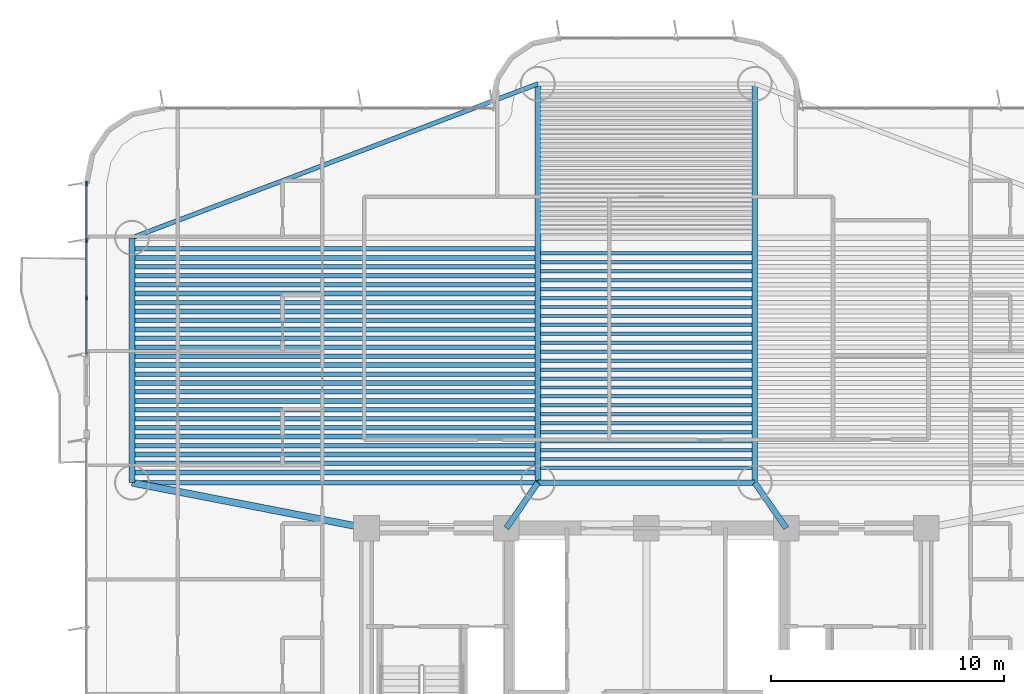
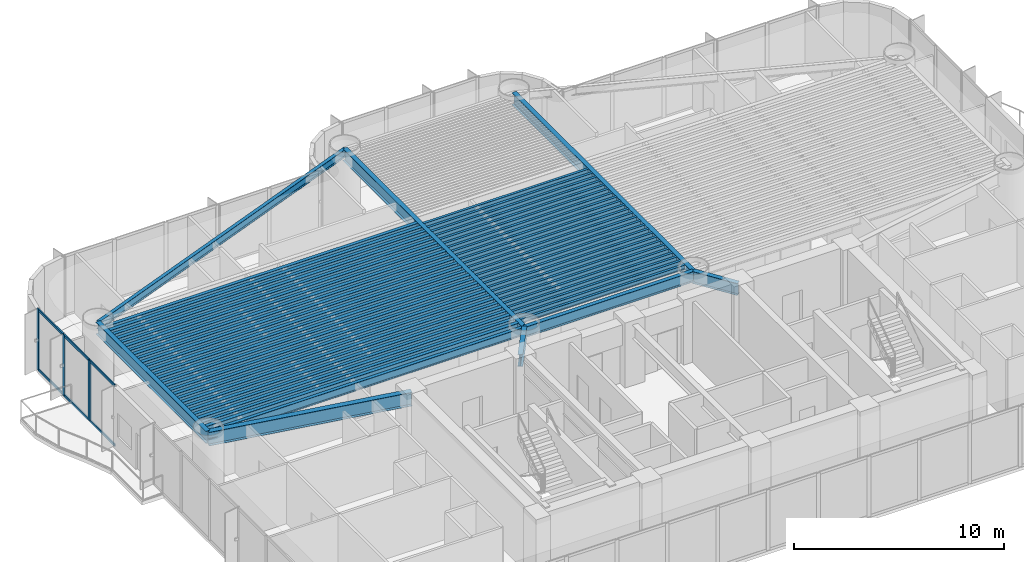
# One storey, part 3 of 19: 60 beams, 9 members, 1 element without a shape of its own.
"""IFC4 building model written with IfcOpenShell, lengths in metres."""

from ifc_helpers import new_model, si_unit, direction, frame, origin, origin_2d, place, context, subcontext, project, spatial, rectangle, i_section, extrude, source, transform, mapped, material, layer, layer_set, material_profile, profile_set, type_object, element, aggregate, save


model = new_model("IFC4")

# Units and contexts
model_context = context("Model", 3, precision=1e-05, world=origin(), true_north=direction((0.0, 1.0)))
body_context = subcontext(model_context, "Body", "Model", "MODEL_VIEW")
ifc_project = project(units=[si_unit("LENGTHUNIT", "METRE"), si_unit("AREAUNIT", "SQUARE_METRE"), si_unit("VOLUMEUNIT", "CUBIC_METRE"), si_unit("PLANEANGLEUNIT", "RADIAN"), si_unit("MASSUNIT", "GRAM", prefix="KILO")], contexts=[model_context])

# Site, building, storey
site_placement = place(None, origin())
site = spatial("IfcSite", under=ifc_project, at=site_placement, CompositionType="ELEMENT")
building_placement = place(site_placement, origin())
building = spatial("IfcBuilding", under=site, at=building_placement, Name="Brelvock Crest Care Tower", CompositionType="ELEMENT")
storey_placement = place(building_placement, frame((0.0, 0.0, 68.580078125)))
storey = spatial("IfcBuildingStorey", under=building, at=storey_placement, Name="L17", CompositionType="ELEMENT", Elevation=68.580078125)

# Beams
ifc_material_1 = material(Name="Steel Grade 350", Category="steel")
ifc_material_profile_1 = material_profile(ifc_material_1, i_section(OverallWidth=0.25, OverallDepth=0.699951171875, WebThickness=0.011962890625, FlangeThickness=0.02001953125, at=origin_2d()), Name="700WB150")
ifc_profile_set_1 = profile_set([ifc_material_profile_1], Name="Steel Grade 350")
beam_type_1 = type_object("IfcBeamType", Name="BM-G4", PredefinedType="BEAM", material=ifc_profile_set_1)
shared_shape_1 = source(origin(), body_context, "Body", "SweptSolid", [
    extrude(i_section(OverallWidth=0.25, OverallDepth=0.699951171875, WebThickness=0.011962890625, FlangeThickness=0.02001953125, at=origin_2d()), origin(), (0.0, 0.0, 1.0), 10.5),
])
beam_1_placement = place(storey_placement, frame((13.949951171875, 19.949951171875, 3.179931640625), z_axis=(0.0, 1.0, 0.0), x_axis=(-1.0, 0.0, 0.0)))
element("IfcBeam", 1, at=beam_1_placement, inside=storey, type_object=beam_type_1, Name="BM-TWR-L17-01", PredefinedType="BEAM", context=body_context, shape_type="MappedRepresentation", body=[
    mapped(shared_shape_1, transform((0.0, 0.0, 0.0), x_axis=(1.0, 0.0, 0.0), y_axis=(0.0, 1.0, 0.0), z_axis=(0.0, 0.0, 1.0), scale=1.0)),
])
ifc_material_profile_2 = material_profile(ifc_material_1, i_section(OverallWidth=0.19091796875, OverallDepth=0.4599609375, WebThickness=0.010009765625, FlangeThickness=0.01611328125, FilletRadius=0.011474609375, at=origin_2d()), Name="460UB82.1")
ifc_profile_set_2 = profile_set([ifc_material_profile_2], Name="Steel Grade 350")
beam_type_2 = type_object("IfcBeamType", Name="BM-SP2", PredefinedType="SPANDREL", material=ifc_profile_set_2)
shared_shape_2 = source(origin(), body_context, "Body", "SweptSolid", [
    extrude(i_section(OverallWidth=0.19091796875, OverallDepth=0.4599609375, WebThickness=0.010009765625, FlangeThickness=0.01611328125, FilletRadius=0.011474609375, at=origin_2d()), origin(), (0.0, 0.0, 1.0), 17.400146484375),
])
beam_2_placement = place(storey_placement, frame((13.949951171875, 19.949951171875, 3.2998046875), z_axis=(1.0, 0.0, 0.0), x_axis=(0.0, 1.0, 0.0)))
element("IfcBeam", 2, at=beam_2_placement, inside=storey, type_object=beam_type_2, Name="BM-TWR-L17-03", PredefinedType="SPANDREL", context=body_context, shape_type="MappedRepresentation", body=[
    mapped(shared_shape_2, transform((0.0, 0.0, 0.0), x_axis=(1.0, 0.0, 0.0), y_axis=(0.0, 1.0, 0.0), z_axis=(0.0, 0.0, 1.0), scale=1.0)),
])
ifc_material_profile_3 = material_profile(ifc_material_1, i_section(OverallWidth=0.22900390625, OverallDepth=0.612060546875, WebThickness=0.011962890625, FlangeThickness=0.01953125, FilletRadius=0.013916015625, at=origin_2d()), Name="610UB125")
ifc_profile_set_3 = profile_set([ifc_material_profile_3], Name="Steel Grade 350")
beam_type_3 = type_object("IfcBeamType", Name="BM-G1", PredefinedType="BEAM", material=ifc_profile_set_3)
shared_shape_3 = source(origin(), body_context, "Body", "SweptSolid", [
    extrude(i_section(OverallWidth=0.22900390625, OverallDepth=0.612060546875, WebThickness=0.011962890625, FlangeThickness=0.01953125, FilletRadius=0.013916015625, at=origin_2d()), origin(), (0.0, 0.0, 1.0), 9.2998046875),
])
beam_3_placement = place(storey_placement, frame((31.35009765625, 19.949951171875, 3.223876953125), z_axis=(1.0, 0.0, 0.0), x_axis=(0.0, 1.0, 0.0)))
element("IfcBeam", 3, at=beam_3_placement, inside=storey, type_object=beam_type_3, Name="BM-TWR-L17-05", PredefinedType="BEAM", context=body_context, shape_type="MappedRepresentation", body=[
    mapped(shared_shape_3, transform((0.0, 0.0, 0.0), x_axis=(1.0, 0.0, 0.0), y_axis=(0.0, 1.0, 0.0), z_axis=(0.0, 0.0, 1.0), scale=1.0)),
])
shared_shape_4 = source(origin(), body_context, "Body", "SweptSolid", [
    extrude(i_section(OverallWidth=0.19091796875, OverallDepth=0.4599609375, WebThickness=0.010009765625, FlangeThickness=0.01611328125, FilletRadius=0.011474609375, at=origin_2d()), origin(), (0.0, 0.0, 1.0), 18.60986328125),
])
beam_4_placement = place(storey_placement, frame((13.949951171875, 30.449951171875, 3.2998046875), z_axis=(0.934996776275, 0.3546562115, 0.0), x_axis=(-0.3546562115, 0.934996776275, 0.0)))
element("IfcBeam", 4, at=beam_4_placement, inside=storey, type_object=beam_type_2, Name="BM-TWR-L17-06", PredefinedType="SPANDREL", context=body_context, shape_type="MappedRepresentation", body=[
    mapped(shared_shape_4, transform((0.0, 0.0, 0.0), x_axis=(1.0, 0.0, 0.0), y_axis=(0.0, 1.0, 0.0), z_axis=(0.0, 0.0, 1.0), scale=1.0)),
])
shared_shape_5 = source(origin(), body_context, "Body", "SweptSolid", [
    extrude(i_section(OverallWidth=0.25, OverallDepth=0.699951171875, WebThickness=0.011962890625, FlangeThickness=0.02001953125, at=origin_2d()), origin(), (0.0, 0.0, 1.0), 17.10009765625),
])
for number, where, z_axis, x_axis, name in (
    (5, (31.35009765625, 19.949951171875, 3.179931640625), (0.0, 1.0, 0.0), (-1.0, 0.0, 0.0), "BM-TWR-L17-09"),
    (6, (40.64990234375, 19.949951171875, 3.179931640625), (0.0, 1.0, 0.0), (-1.0, 0.0, 0.0), "BM-TWR-L17-10"),
):
    element("IfcBeam", number, at=place(storey_placement, frame(where, z_axis=z_axis, x_axis=x_axis)), inside=storey, type_object=beam_type_1, Name=name, PredefinedType="BEAM", context=body_context, shape_type="MappedRepresentation", body=[
        mapped(shared_shape_5, transform((0.0, 0.0, 0.0), x_axis=(1.0, 0.0, 0.0), y_axis=(0.0, 1.0, 0.0), z_axis=(0.0, 0.0, 1.0), scale=1.0)),
    ])
shared_shape_6 = source(origin(), body_context, "Body", "SweptSolid", [
    extrude(i_section(OverallWidth=0.25, OverallDepth=0.699951171875, WebThickness=0.011962890625, FlangeThickness=0.02001953125, at=origin_2d()), origin(), (0.0, 0.0, 1.0), 2.371826171875),
])
for number, where, z_axis, x_axis, name in (
    (7, (30.0, 18.0, 3.179931640625), (0.569247447691, 0.8221662504, 0.0), (-0.8221662504, 0.569247447691, 0.0), "BM-THRW-L17"),
    (8, (42.0, 18.0, 3.179931640625), (-0.569247447691, 0.8221662504, 0.0), (-0.8221662504, -0.569247447691, 0.0), "BM-THRE-L17"),
):
    element("IfcBeam", number, at=place(storey_placement, frame(where, z_axis=z_axis, x_axis=x_axis)), inside=storey, type_object=beam_type_1, Name=name, PredefinedType="BEAM", context=body_context, shape_type="MappedRepresentation", body=[
        mapped(shared_shape_6, transform((0.0, 0.0, 0.0), x_axis=(1.0, 0.0, 0.0), y_axis=(0.0, 1.0, 0.0), z_axis=(0.0, 0.0, 1.0), scale=1.0)),
    ])
ifc_material_profile_4 = material_profile(ifc_material_1, i_section(OverallWidth=0.300048828125, OverallDepth=0.800048828125, WebThickness=0.013916015625, FlangeThickness=0.02197265625, at=origin_2d()), Name="800WB192")
ifc_profile_set_4 = profile_set([ifc_material_profile_4], Name="Steel Grade 350")
beam_type_4 = type_object("IfcBeamType", Name="BM-G5", PredefinedType="BEAM", material=ifc_profile_set_4)
shared_shape_7 = source(origin(), body_context, "Body", "SweptSolid", [
    extrude(i_section(OverallWidth=0.300048828125, OverallDepth=0.800048828125, WebThickness=0.013916015625, FlangeThickness=0.02197265625, at=origin_2d()), origin(), (0.0, 0.0, 1.0), 10.237548828125),
])
beam_5_placement = place(storey_placement, frame((24.0, 18.0, 3.1298828125), z_axis=(-0.981692632568, 0.190471979991, 0.0), x_axis=(-0.190471979991, -0.981692632568, 0.0)))
element("IfcBeam", 9, at=beam_5_placement, inside=storey, type_object=beam_type_4, Name="BM-THRO-W-L17", PredefinedType="BEAM", context=body_context, shape_type="MappedRepresentation", body=[
    mapped(shared_shape_7, transform((0.0, 0.0, 0.0), x_axis=(1.0, 0.0, 0.0), y_axis=(0.0, 1.0, 0.0), z_axis=(0.0, 0.0, 1.0), scale=1.0)),
])
ifc_material_profile_5 = material_profile(ifc_material_1, i_section(OverallWidth=0.208984375, OverallDepth=0.532958984375, WebThickness=0.01025390625, FlangeThickness=0.015625, FilletRadius=0.013916015625, at=origin_2d()), Name="530UB92.4")
ifc_profile_set_5 = profile_set([ifc_material_profile_5], Name="Steel Grade 350")
beam_type_5 = type_object("IfcBeamType", Name="BM-G2", PredefinedType="BEAM", material=ifc_profile_set_5)
shared_shape_8 = source(origin(), body_context, "Body", "SweptSolid", [
    extrude(i_section(OverallWidth=0.208984375, OverallDepth=0.532958984375, WebThickness=0.01025390625, FlangeThickness=0.015625, FilletRadius=0.013916015625, at=origin_2d()), origin(), (0.0, 0.0, 1.0), 17.170166015625),
])
for number, where, z_axis, x_axis, name in (
    (10, (14.06494140625, 20.39111328125, 3.263427734375), (1.0, 0.0, 0.0), (0.0, 1.0, 0.0), "BM-JW-L17-1"),
    (11, (14.06494140625, 21.157470703125, 3.263427734375), (1.0, 0.0, 0.0), (0.0, 1.0, 0.0), "BM-JW-L17-3"),
    (12, (14.06494140625, 21.924072265625, 3.263427734375), (1.0, 0.0, 0.0), (0.0, 1.0, 0.0), "BM-JW-L17-5"),
    (13, (14.06494140625, 22.6904296875, 3.263427734375), (1.0, 0.0, 0.0), (0.0, 1.0, 0.0), "BM-JW-L17-7"),
    (14, (14.06494140625, 23.45703125, 3.263427734375), (1.0, 0.0, 0.0), (0.0, 1.0, 0.0), "BM-JW-L17-9"),
    (15, (14.06494140625, 24.223388671875, 3.263427734375), (1.0, 0.0, 0.0), (0.0, 1.0, 0.0), "BM-JW-L17-11"),
    (16, (14.06494140625, 24.989990234375, 3.263427734375), (1.0, 0.0, 0.0), (0.0, 1.0, 0.0), "BM-JW-L17-13"),
    (17, (14.06494140625, 25.756591796875, 3.263427734375), (1.0, 0.0, 0.0), (0.0, 1.0, 0.0), "BM-JW-L17-15"),
    (18, (14.06494140625, 26.52294921875, 3.263427734375), (1.0, 0.0, 0.0), (0.0, 1.0, 0.0), "BM-JW-L17-17"),
    (19, (14.06494140625, 27.28955078125, 3.263427734375), (1.0, 0.0, 0.0), (0.0, 1.0, 0.0), "BM-JW-L17-19"),
    (20, (14.06494140625, 28.055908203125, 3.263427734375), (1.0, 0.0, 0.0), (0.0, 1.0, 0.0), "BM-JW-L17-21"),
    (21, (14.06494140625, 28.822509765625, 3.263427734375), (1.0, 0.0, 0.0), (0.0, 1.0, 0.0), "BM-JW-L17-23"),
    (22, (14.06494140625, 29.589111328125, 3.263427734375), (1.0, 0.0, 0.0), (0.0, 1.0, 0.0), "BM-JW-L17-25"),
):
    element("IfcBeam", number, at=place(storey_placement, frame(where, z_axis=z_axis, x_axis=x_axis)), inside=storey, type_object=beam_type_5, Name=name, PredefinedType="BEAM", context=body_context, shape_type="MappedRepresentation", body=[
        mapped(shared_shape_8, transform((0.0, 0.0, 0.0), x_axis=(1.0, 0.0, 0.0), y_axis=(0.0, 1.0, 0.0), z_axis=(0.0, 0.0, 1.0), scale=1.0)),
    ])
ifc_material_profile_6 = material_profile(ifc_material_1, i_section(OverallWidth=0.14599609375, OverallDepth=0.256103515625, WebThickness=0.00634765625, FlangeThickness=0.010986328125, FilletRadius=0.0087890625, at=origin_2d()), Name="250UB37.3")
ifc_profile_set_6 = profile_set([ifc_material_profile_6], Name="Steel Grade 350")
beam_type_6 = type_object("IfcBeamType", Name="BM-J3", PredefinedType="JOIST", material=ifc_profile_set_6)
shared_shape_9 = source(origin(), body_context, "Body", "SweptSolid", [
    extrude(i_section(OverallWidth=0.14599609375, OverallDepth=0.256103515625, WebThickness=0.00634765625, FlangeThickness=0.010986328125, FilletRadius=0.0087890625, at=origin_2d()), origin(), (0.0, 0.0, 1.0), 9.06982421875),
])
for number, where, z_axis, x_axis, name in (
    (23, (31.465087890625, 20.58251953125, 3.40185546875), (1.0, 0.0, 0.0), (0.0, 1.0, 0.0), "BM-JH-L17-1"),
    (24, (31.465087890625, 20.9658203125, 3.40185546875), (1.0, 0.0, 0.0), (0.0, 1.0, 0.0), "BM-JH-L17-2"),
    (25, (31.465087890625, 21.34912109375, 3.40185546875), (1.0, 0.0, 0.0), (0.0, 1.0, 0.0), "BM-JH-L17-3"),
    (26, (31.465087890625, 21.732421875, 3.40185546875), (1.0, 0.0, 0.0), (0.0, 1.0, 0.0), "BM-JH-L17-4"),
    (27, (31.465087890625, 22.115478515625, 3.40185546875), (1.0, 0.0, 0.0), (0.0, 1.0, 0.0), "BM-JH-L17-5"),
    (28, (31.465087890625, 22.498779296875, 3.40185546875), (1.0, 0.0, 0.0), (0.0, 1.0, 0.0), "BM-JH-L17-6"),
    (29, (31.465087890625, 22.882080078125, 3.40185546875), (1.0, 0.0, 0.0), (0.0, 1.0, 0.0), "BM-JH-L17-7"),
    (30, (31.465087890625, 23.265380859375, 3.40185546875), (1.0, 0.0, 0.0), (0.0, 1.0, 0.0), "BM-JH-L17-8"),
    (31, (31.465087890625, 23.648681640625, 3.40185546875), (1.0, 0.0, 0.0), (0.0, 1.0, 0.0), "BM-JH-L17-9"),
    (32, (31.465087890625, 24.03173828125, 3.40185546875), (1.0, 0.0, 0.0), (0.0, 1.0, 0.0), "BM-JH-L17-10"),
    (33, (31.465087890625, 24.4150390625, 3.40185546875), (1.0, 0.0, 0.0), (0.0, 1.0, 0.0), "BM-JH-L17-11"),
    (34, (31.465087890625, 24.79833984375, 3.40185546875), (1.0, 0.0, 0.0), (0.0, 1.0, 0.0), "BM-JH-L17-12"),
    (35, (31.465087890625, 25.181640625, 3.40185546875), (1.0, 0.0, 0.0), (0.0, 1.0, 0.0), "BM-JH-L17-13"),
    (36, (31.465087890625, 25.564697265625, 3.40185546875), (1.0, 0.0, 0.0), (0.0, 1.0, 0.0), "BM-JH-L17-14"),
    (37, (31.465087890625, 25.947998046875, 3.40185546875), (1.0, 0.0, 0.0), (0.0, 1.0, 0.0), "BM-JH-L17-15"),
    (38, (31.465087890625, 26.331298828125, 3.40185546875), (1.0, 0.0, 0.0), (0.0, 1.0, 0.0), "BM-JH-L17-16"),
    (39, (31.465087890625, 26.714599609375, 3.40185546875), (1.0, 0.0, 0.0), (0.0, 1.0, 0.0), "BM-JH-L17-17"),
    (40, (31.465087890625, 27.097900390625, 3.40185546875), (1.0, 0.0, 0.0), (0.0, 1.0, 0.0), "BM-JH-L17-18"),
    (41, (31.465087890625, 27.481201171875, 3.40185546875), (1.0, 0.0, 0.0), (0.0, 1.0, 0.0), "BM-JH-L17-19"),
    (42, (31.465087890625, 27.864501953125, 3.40185546875), (1.0, 0.0, 0.0), (0.0, 1.0, 0.0), "BM-JH-L17-20"),
    (43, (31.465087890625, 28.24755859375, 3.40185546875), (1.0, 0.0, 0.0), (0.0, 1.0, 0.0), "BM-JH-L17-21"),
    (44, (31.465087890625, 28.630859375, 3.40185546875), (1.0, 0.0, 0.0), (0.0, 1.0, 0.0), "BM-JH-L17-22"),
    (45, (31.465087890625, 29.01416015625, 3.40185546875), (1.0, 0.0, 0.0), (0.0, 1.0, 0.0), "BM-JH-L17-23"),
    (46, (31.465087890625, 29.397216796875, 3.40185546875), (1.0, 0.0, 0.0), (0.0, 1.0, 0.0), "BM-JH-L17-24"),
    (47, (31.465087890625, 29.780517578125, 3.40185546875), (1.0, 0.0, 0.0), (0.0, 1.0, 0.0), "BM-JH-L17-25"),
):
    element("IfcBeam", number, at=place(storey_placement, frame(where, z_axis=z_axis, x_axis=x_axis)), inside=storey, type_object=beam_type_6, Name=name, PredefinedType="JOIST", context=body_context, shape_type="MappedRepresentation", body=[
        mapped(shared_shape_9, transform((0.0, 0.0, 0.0), x_axis=(1.0, 0.0, 0.0), y_axis=(0.0, 1.0, 0.0), z_axis=(0.0, 0.0, 1.0), scale=1.0)),
    ])
ifc_material_profile_7 = material_profile(ifc_material_1, i_section(OverallWidth=0.19091796875, OverallDepth=0.4599609375, WebThickness=0.010009765625, FlangeThickness=0.01611328125, FilletRadius=0.011474609375, at=origin_2d()), Name="460UB82.1")
ifc_profile_set_7 = profile_set([ifc_material_profile_7], Name="Steel Grade 350")
beam_type_7 = type_object("IfcBeamType", Name="BM-G3", PredefinedType="BEAM", material=ifc_profile_set_7)
shared_shape_10 = source(origin(), body_context, "Body", "SweptSolid", [
    extrude(i_section(OverallWidth=0.19091796875, OverallDepth=0.4599609375, WebThickness=0.010009765625, FlangeThickness=0.01611328125, FilletRadius=0.011474609375, at=origin_2d()), origin(), (0.0, 0.0, 1.0), 17.170166015625),
])
for number, where, z_axis, x_axis, name in (
    (48, (14.06494140625, 20.774169921875, 3.2998046875), (1.0, 0.0, 0.0), (0.0, 1.0, 0.0), "BM-JW-L17-2"),
    (49, (14.06494140625, 21.540771484375, 3.2998046875), (1.0, 0.0, 0.0), (0.0, 1.0, 0.0), "BM-JW-L17-4"),
    (50, (14.06494140625, 22.30712890625, 3.2998046875), (1.0, 0.0, 0.0), (0.0, 1.0, 0.0), "BM-JW-L17-6"),
    (51, (14.06494140625, 23.07373046875, 3.2998046875), (1.0, 0.0, 0.0), (0.0, 1.0, 0.0), "BM-JW-L17-8"),
    (52, (14.06494140625, 23.840087890625, 3.2998046875), (1.0, 0.0, 0.0), (0.0, 1.0, 0.0), "BM-JW-L17-10"),
    (53, (14.06494140625, 24.606689453125, 3.2998046875), (1.0, 0.0, 0.0), (0.0, 1.0, 0.0), "BM-JW-L17-12"),
    (54, (14.06494140625, 25.373291015625, 3.2998046875), (1.0, 0.0, 0.0), (0.0, 1.0, 0.0), "BM-JW-L17-14"),
    (55, (14.06494140625, 26.1396484375, 3.2998046875), (1.0, 0.0, 0.0), (0.0, 1.0, 0.0), "BM-JW-L17-16"),
    (56, (14.06494140625, 26.90625, 3.2998046875), (1.0, 0.0, 0.0), (0.0, 1.0, 0.0), "BM-JW-L17-18"),
    (57, (14.06494140625, 27.6728515625, 3.2998046875), (1.0, 0.0, 0.0), (0.0, 1.0, 0.0), "BM-JW-L17-20"),
    (58, (14.06494140625, 28.439208984375, 3.2998046875), (1.0, 0.0, 0.0), (0.0, 1.0, 0.0), "BM-JW-L17-22"),
    (59, (14.06494140625, 29.205810546875, 3.2998046875), (1.0, 0.0, 0.0), (0.0, 1.0, 0.0), "BM-JW-L17-24"),
    (60, (14.06494140625, 29.97216796875, 3.2998046875), (1.0, 0.0, 0.0), (0.0, 1.0, 0.0), "BM-JW-L17-26"),
):
    element("IfcBeam", number, at=place(storey_placement, frame(where, z_axis=z_axis, x_axis=x_axis)), inside=storey, type_object=beam_type_7, Name=name, PredefinedType="BEAM", context=body_context, shape_type="MappedRepresentation", body=[
        mapped(shared_shape_10, transform((0.0, 0.0, 0.0), x_axis=(1.0, 0.0, 0.0), y_axis=(0.0, 1.0, 0.0), z_axis=(0.0, 0.0, 1.0), scale=1.0)),
    ])

# Curtain wall, members
ifc_material_2 = material(Name="Dark Glass Double Glazed Low-E", Category="glass")
ifc_layer = layer(ifc_material_2, 0.195068359375, Name="CWS-2")
ifc_layer_set = layer_set([ifc_layer], Name="Dark Glass Double Glazed Low-E")
curtain_wall_type = type_object("IfcCurtainWallType", Name="CWS-2", PredefinedType="NOTDEFINED", material=ifc_layer_set)
curtain_wall_placement = place(storey_placement, origin())
curtain_wall = element("IfcCurtainWall", 61, at=curtain_wall_placement, inside=storey, type_object=curtain_wall_type, Name="L17 Curtain Wall E13B", PredefinedType="NOTDEFINED")
ifc_material_3 = material(Name="Aluminium 6063-T6", Category="aluminium")
ifc_material_profile_8 = material_profile(ifc_material_3, rectangle(XDim=0.06494140625, YDim=0.199951171875, at=origin_2d()), Name="ALU65x200")
ifc_profile_set_8 = profile_set([ifc_material_profile_8], Name="Aluminium 6063-T6")
member_type_1 = type_object("IfcMemberType", Name="CWM-1", PredefinedType="MULLION", material=ifc_profile_set_8)
shared_shape_11 = source(origin(), body_context, "Body", "SweptSolid", [
    extrude(rectangle(XDim=0.06494140625, YDim=0.199951171875, at=origin_2d()), origin(), (0.0, 0.0, 1.0), 3.530029296875),
])
member_1_placement = place(storey_placement, frame((12.0, 27.86669921875, 0.0), z_axis=(0.0, 0.0, 1.0), x_axis=(-1.0, 0.0, 0.0)))
member_1 = element("IfcMember", 62, at=member_1_placement, type_object=member_type_1, Name="CW-2 mullion 2", PredefinedType="MULLION", context=body_context, shape_type="MappedRepresentation", body=[
    mapped(shared_shape_11, transform((0.0, 0.0, 0.0), x_axis=(1.0, 0.0, 0.0), y_axis=(0.0, 1.0, 0.0), z_axis=(0.0, 0.0, 1.0), scale=1.0)),
])
member_2_placement = place(storey_placement, frame((12.0, 30.333251953125, 0.0), z_axis=(0.0, 0.0, 1.0), x_axis=(-1.0, 0.0, 0.0)))
member_2 = element("IfcMember", 63, at=member_2_placement, type_object=member_type_1, Name="CW-2 mullion 3", PredefinedType="MULLION", context=body_context, shape_type="MappedRepresentation", body=[
    mapped(shared_shape_11, transform((0.0, 0.0, 0.0), x_axis=(1.0, 0.0, 0.0), y_axis=(0.0, 1.0, 0.0), z_axis=(0.0, 0.0, 1.0), scale=1.0)),
])
member_3_placement = place(storey_placement, frame((12.0, 32.767578125, 0.0), z_axis=(0.0, 0.0, 1.0), x_axis=(-1.0, 0.0, 0.0)))
member_3 = element("IfcMember", 64, at=member_3_placement, type_object=member_type_1, Name="CW-2 mullion 4", PredefinedType="MULLION", context=body_context, shape_type="MappedRepresentation", body=[
    mapped(shared_shape_11, transform((0.0, 0.0, 0.0), x_axis=(1.0, 0.0, 0.0), y_axis=(0.0, 1.0, 0.0), z_axis=(0.0, 0.0, 1.0), scale=1.0)),
])
ifc_material_profile_9 = material_profile(ifc_material_3, rectangle(XDim=0.06494140625, YDim=0.14990234375, at=origin_2d()), Name="ALU65x150")
ifc_profile_set_9 = profile_set([ifc_material_profile_9], Name="Aluminium 6063-T6")
member_type_2 = type_object("IfcMemberType", Name="CWT-1", PredefinedType="USERDEFINED", material=ifc_profile_set_9)
shared_shape_12 = source(origin(), body_context, "Body", "SweptSolid", [
    extrude(rectangle(XDim=0.06494140625, YDim=0.14990234375, at=origin_2d()), origin(), (0.0, 0.0, 1.0), 2.369384765625),
])
member_4_placement = place(storey_placement, frame((12.0, 30.36572265625, 0.032470703125), z_axis=(0.0, 1.0, 0.0), x_axis=(-1.0, 0.0, 0.0)))
member_4 = element("IfcMember", 65, at=member_4_placement, type_object=member_type_2, Name="CW-2 transom 3.1", ObjectType="TRANSOM", PredefinedType="USERDEFINED", context=body_context, shape_type="MappedRepresentation", body=[
    mapped(shared_shape_12, transform((0.0, 0.0, 0.0), x_axis=(1.0, 0.0, 0.0), y_axis=(0.0, 1.0, 0.0), z_axis=(0.0, 0.0, 1.0), scale=1.0)),
])
member_5_placement = place(storey_placement, frame((12.0, 30.36572265625, 3.497314453125), z_axis=(0.0, 1.0, 0.0), x_axis=(-1.0, 0.0, 0.0)))
member_5 = element("IfcMember", 66, at=member_5_placement, type_object=member_type_2, Name="CW-2 transom 3.2", ObjectType="TRANSOM", PredefinedType="USERDEFINED", context=body_context, shape_type="MappedRepresentation", body=[
    mapped(shared_shape_12, transform((0.0, 0.0, 0.0), x_axis=(1.0, 0.0, 0.0), y_axis=(0.0, 1.0, 0.0), z_axis=(0.0, 0.0, 1.0), scale=1.0)),
])
shared_shape_13 = source(origin(), body_context, "Body", "SweptSolid", [
    extrude(rectangle(XDim=0.06494140625, YDim=0.14990234375, at=origin_2d()), origin(), (0.0, 0.0, 1.0), 2.401611328125),
])
member_6_placement = place(storey_placement, frame((12.0, 27.899169921875, 0.032470703125), z_axis=(0.0, 1.0, 0.0), x_axis=(-1.0, 0.0, 0.0)))
member_6 = element("IfcMember", 67, at=member_6_placement, type_object=member_type_2, Name="CW-2 transom 2.1", ObjectType="TRANSOM", PredefinedType="USERDEFINED", context=body_context, shape_type="MappedRepresentation", body=[
    mapped(shared_shape_13, transform((0.0, 0.0, 0.0), x_axis=(1.0, 0.0, 0.0), y_axis=(0.0, 1.0, 0.0), z_axis=(0.0, 0.0, 1.0), scale=1.0)),
])
member_7_placement = place(storey_placement, frame((12.0, 27.899169921875, 3.497314453125), z_axis=(0.0, 1.0, 0.0), x_axis=(-1.0, 0.0, 0.0)))
member_7 = element("IfcMember", 68, at=member_7_placement, type_object=member_type_2, Name="CW-2 transom 2.2", ObjectType="TRANSOM", PredefinedType="USERDEFINED", context=body_context, shape_type="MappedRepresentation", body=[
    mapped(shared_shape_13, transform((0.0, 0.0, 0.0), x_axis=(1.0, 0.0, 0.0), y_axis=(0.0, 1.0, 0.0), z_axis=(0.0, 0.0, 1.0), scale=1.0)),
])
shared_shape_14 = source(origin(), body_context, "Body", "SweptSolid", [
    extrude(rectangle(XDim=0.06494140625, YDim=0.14990234375, at=origin_2d()), origin(), (0.0, 0.0, 1.0), 2.369140625),
])
member_8_placement = place(storey_placement, frame((12.0, 25.465087890625, 0.032470703125), z_axis=(0.0, 1.0, 0.0), x_axis=(-1.0, 0.0, 0.0)))
member_8 = element("IfcMember", 69, at=member_8_placement, type_object=member_type_2, Name="CW-2 transom 1.1", ObjectType="TRANSOM", PredefinedType="USERDEFINED", context=body_context, shape_type="MappedRepresentation", body=[
    mapped(shared_shape_14, transform((0.0, 0.0, 0.0), x_axis=(1.0, 0.0, 0.0), y_axis=(0.0, 1.0, 0.0), z_axis=(0.0, 0.0, 1.0), scale=1.0)),
])
member_9_placement = place(storey_placement, frame((12.0, 25.465087890625, 3.497314453125), z_axis=(0.0, 1.0, 0.0), x_axis=(-1.0, 0.0, 0.0)))
member_9 = element("IfcMember", 70, at=member_9_placement, type_object=member_type_2, Name="CW-2 transom 1.2", ObjectType="TRANSOM", PredefinedType="USERDEFINED", context=body_context, shape_type="MappedRepresentation", body=[
    mapped(shared_shape_14, transform((0.0, 0.0, 0.0), x_axis=(1.0, 0.0, 0.0), y_axis=(0.0, 1.0, 0.0), z_axis=(0.0, 0.0, 1.0), scale=1.0)),
])
aggregate(curtain_wall, [member_1, member_2, member_3, member_8, member_9, member_6, member_7, member_4, member_5])

save(model, "model.ifc")
